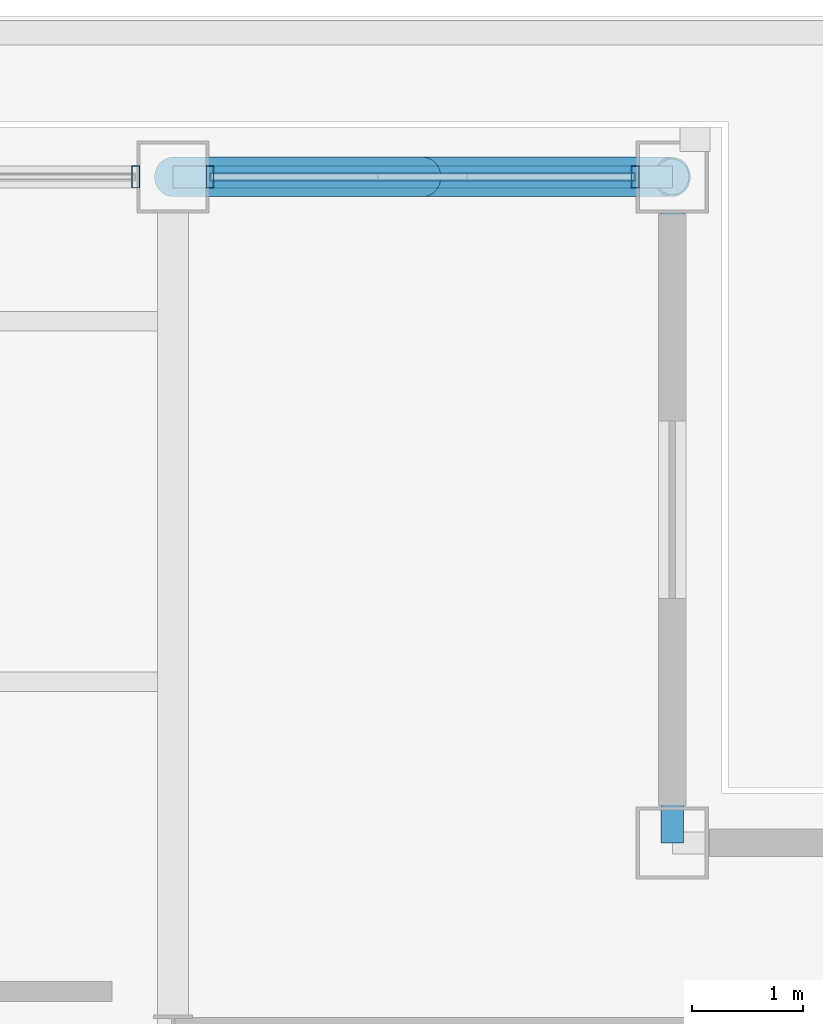
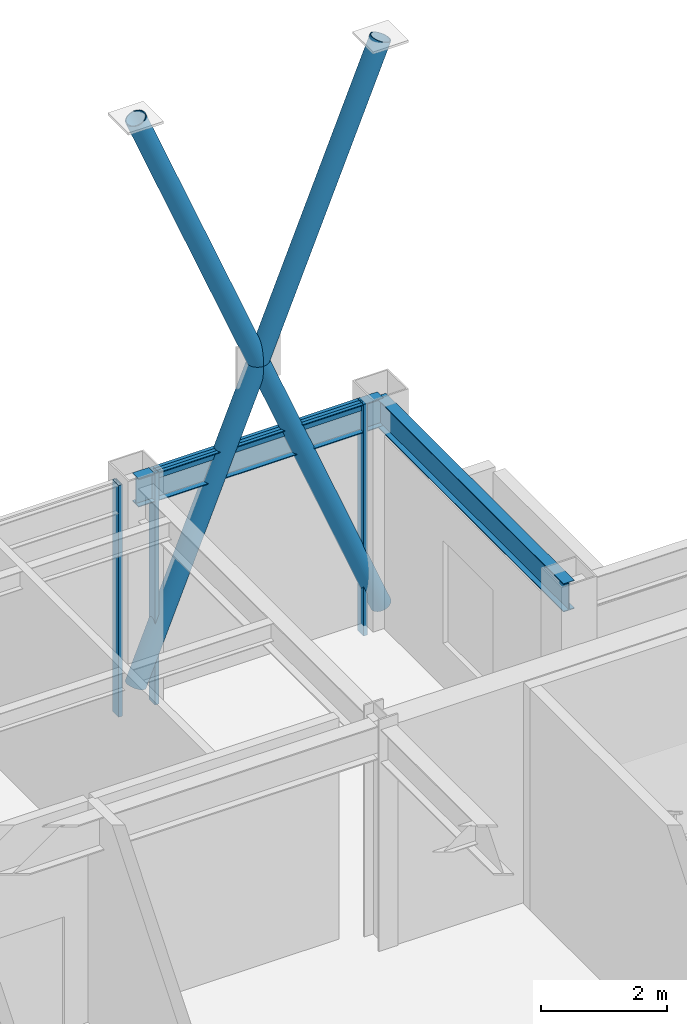
# One storey, part 13 of 19: 7 members, 2 beams, 2 elements without a shape of their own.
"""IFC4 building model written with IfcOpenShell, lengths in metres."""

from ifc_helpers import new_model, si_unit, direction, frame, origin, origin_2d, place, context, subcontext, project, spatial, hollow_rectangle, hollow_circle, i_section, extrude, material, layer, layer_set, material_profile, profile_set, type_object, element, aggregate, save


model = new_model("IFC4")

# Units and contexts
model_context = context("Model", 3, precision=1e-05, world=origin(), true_north=direction((0.0, 1.0)))
body_context = subcontext(model_context, "Body", "Model", "MODEL_VIEW")
ifc_project = project(units=[si_unit("LENGTHUNIT", "METRE"), si_unit("AREAUNIT", "SQUARE_METRE"), si_unit("VOLUMEUNIT", "CUBIC_METRE"), si_unit("PLANEANGLEUNIT", "RADIAN"), si_unit("MASSUNIT", "GRAM", prefix="KILO")], contexts=[model_context])

# Site, building, storey
site_placement = place(None, origin())
site = spatial("IfcSite", under=ifc_project, at=site_placement, CompositionType="ELEMENT")
building_placement = place(site_placement, origin())
building = spatial("IfcBuilding", under=site, at=building_placement, Name="Brelmoor Portico Tower", CompositionType="ELEMENT")
storey_placement = place(building_placement, frame((0.0, 0.0, 213.89990234375)))
storey = spatial("IfcBuildingStorey", under=building, at=storey_placement, Name="L56", CompositionType="ELEMENT", Elevation=213.89990234375)

# Beams
ifc_material_1 = material(Name="Steel Q355B", Category="steel")
ifc_material_profile_1 = material_profile(ifc_material_1, i_section(OverallWidth=0.199951171875, OverallDepth=0.550048828125, WebThickness=0.010009765625, FlangeThickness=0.01611328125, at=origin_2d()), Name="HN 550x200x10x16")
ifc_profile_set_1 = profile_set([ifc_material_profile_1], Name="Steel Q355B")
beam_type = type_object("IfcBeamType", Name="BM-SP-550", PredefinedType="SPANDREL", material=ifc_profile_set_1)
beam_1_placement = place(storey_placement, frame((8.050048828125, 17.550048828125, 4.025146484375), z_axis=(1.0, 0.0, 0.0), x_axis=(0.0, 1.0, 0.0)))
element("IfcBeam", 1, at=beam_1_placement, inside=storey, type_object=beam_type, Name="L56 Perimeter Spandrel Beam SP-10", PredefinedType="SPANDREL", context=body_context, shape_type="SweptSolid", body=[
    extrude(i_section(OverallWidth=0.199951171875, OverallDepth=0.550048828125, WebThickness=0.010009765625, FlangeThickness=0.01611328125, at=origin_2d()), origin(), (0.0, 0.0, 1.0), 4.5),
])
beam_2_placement = place(storey_placement, frame((12.550048828125, 11.550048828125, 4.025146484375), z_axis=(0.0, 1.0, 0.0), x_axis=(-1.0, 0.0, 0.0)))
element("IfcBeam", 2, at=beam_2_placement, inside=storey, type_object=beam_type, Name="L56 Perimeter Spandrel Beam SP-17", PredefinedType="SPANDREL", context=body_context, shape_type="SweptSolid", body=[
    extrude(i_section(OverallWidth=0.199951171875, OverallDepth=0.550048828125, WebThickness=0.010009765625, FlangeThickness=0.01611328125, at=origin_2d()), origin(), (0.0, 0.0, 1.0), 6.0),
])

# Members
ifc_material_profile_2 = material_profile(ifc_material_1, hollow_circle(Radius=0.177978515625, WallThickness=0.01611328125, at=origin_2d()), Name="CHS 356x16")
ifc_profile_set_2 = profile_set([ifc_material_profile_2], Name="Steel Q355B")
member_type_1 = type_object("IfcMemberType", Name="MB-BELT-DIAG2", PredefinedType="BRACE", material=ifc_profile_set_2)
member_1_placement = place(storey_placement, frame((8.050048828125, 17.550048828125, 0.25), z_axis=(0.378632845721, 0.0, 0.925546956206), x_axis=(0.0, 1.0, 0.0)))
element("IfcMember", 3, at=member_1_placement, inside=storey, type_object=member_type_1, Name="L56 Continuous Mega-X Brace 131A", PredefinedType="BRACE", context=body_context, shape_type="SweptSolid", body=[
    extrude(hollow_circle(Radius=0.177978515625, WallThickness=0.01611328125, at=origin_2d()), origin(), (0.0, 0.0, 1.0), 11.884765625),
])
for number, where, z_axis, x_axis, name in (
    (4, (12.550048828125, 17.550048828125, 0.25), (-0.378632845721, 0.0, 0.925546956206), (0.0, -1.0, 0.0), "L56 Split Mega-X Brace 131B1"),
    (5, (10.300048828125, 17.550048828125, 5.75), (-0.378632845721, 0.0, 0.925546956206), (0.0, -1.0, 0.0), "L56 Split Mega-X Brace 131B2"),
):
    element("IfcMember", number, at=place(storey_placement, frame(where, z_axis=z_axis, x_axis=x_axis)), inside=storey, type_object=member_type_1, Name=name, PredefinedType="BRACE", context=body_context, shape_type="SweptSolid", body=[
        extrude(hollow_circle(Radius=0.177978515625, WallThickness=0.01611328125, at=origin_2d()), origin(), (0.0, 0.0, 1.0), 5.9423828125),
    ])

# Curtain wall, member
ifc_material_2 = material(Name="Anodised Aluminium Alloy 6063-T6", Category="aluminium")
ifc_layer_1 = layer(ifc_material_2, 0.179931640625)
ifc_layer_set_1 = layer_set([ifc_layer_1], Name="Anodised Aluminium Alloy 6063-T6")
curtain_wall_type_1 = type_object("IfcCurtainWallType", Name="CW-SKYLOBBY", PredefinedType="NOTDEFINED", material=ifc_layer_set_1)
curtain_wall_1_placement = place(storey_placement, origin())
curtain_wall_1 = element("IfcCurtainWall", 6, at=curtain_wall_1_placement, inside=storey, type_object=curtain_wall_type_1, Name="L56 Curtain Wall CW-L56-02-2", PredefinedType="NOTDEFINED")
ifc_material_profile_3 = material_profile(ifc_material_2, hollow_rectangle(XDim=0.070068359375, YDim=0.199951171875, WallThickness=0.00439453125, at=origin_2d()), Name="ALU MULLION 70x200")
ifc_profile_set_3 = profile_set([ifc_material_profile_3], Name="Anodised Aluminium Alloy 6063-T6")
member_type_2 = type_object("IfcMemberType", Name="MB-CW-MULL-200", PredefinedType="MULLION", material=ifc_profile_set_3)
member_2_placement = place(storey_placement, frame((7.715087890625, 17.550048828125, -0.199951171875), z_axis=(0.0, 0.0, 1.0), x_axis=(1.0, 0.0, 0.0)))
member_2 = element("IfcMember", 7, at=member_2_placement, type_object=member_type_2, Name="CW-L56-02-2 Mullion 01", PredefinedType="MULLION", context=body_context, shape_type="SweptSolid", body=[
    extrude(hollow_rectangle(XDim=0.070068359375, YDim=0.199951171875, WallThickness=0.00439453125, at=origin_2d()), origin(), (0.0, 0.0, 1.0), 4.5),
])
aggregate(curtain_wall_1, [member_2])

# Curtain wall, members
ifc_layer_2 = layer(ifc_material_2, 0.179931640625)
ifc_layer_set_2 = layer_set([ifc_layer_2], Name="Anodised Aluminium Alloy 6063-T6")
curtain_wall_type_2 = type_object("IfcCurtainWallType", Name="CW-SKYLOBBY-XB", PredefinedType="NOTDEFINED", material=ifc_layer_set_2)
curtain_wall_2_placement = place(storey_placement, origin())
curtain_wall_2 = element("IfcCurtainWall", 8, at=curtain_wall_2_placement, inside=storey, type_object=curtain_wall_type_2, Name="L56 Curtain Wall CW-L56-02-3", PredefinedType="NOTDEFINED")
member_3_placement = place(storey_placement, frame((8.385009765625, 17.550048828125, -0.199951171875), z_axis=(0.0, 0.0, 1.0), x_axis=(1.0, 0.0, 0.0)))
member_3 = element("IfcMember", 9, at=member_3_placement, type_object=member_type_2, Name="CW-L56-02-3 Mullion 00", PredefinedType="MULLION", context=body_context, shape_type="SweptSolid", body=[
    extrude(hollow_rectangle(XDim=0.070068359375, YDim=0.199951171875, WallThickness=0.00439453125, at=origin_2d()), origin(), (0.0, 0.0, 1.0), 4.5),
])
member_4_placement = place(storey_placement, frame((12.215087890625, 17.550048828125, -0.199951171875), z_axis=(0.0, 0.0, 1.0), x_axis=(1.0, 0.0, 0.0)))
member_4 = element("IfcMember", 10, at=member_4_placement, type_object=member_type_2, Name="CW-L56-02-3 Mullion 01", PredefinedType="MULLION", context=body_context, shape_type="SweptSolid", body=[
    extrude(hollow_rectangle(XDim=0.070068359375, YDim=0.199951171875, WallThickness=0.00439453125, at=origin_2d()), origin(), (0.0, 0.0, 1.0), 4.5),
])
ifc_material_profile_4 = material_profile(ifc_material_2, hollow_rectangle(XDim=0.070068359375, YDim=0.159912109375, WallThickness=0.00390625, at=origin_2d()), Name="ALU TRANSOM 70x160")
ifc_profile_set_4 = profile_set([ifc_material_profile_4], Name="Anodised Aluminium Alloy 6063-T6")
member_type_3 = type_object("IfcMemberType", Name="MB-CW-TRAN-160", PredefinedType="USERDEFINED", material=ifc_profile_set_4)
member_5_placement = place(storey_placement, frame((8.385009765625, 17.550048828125, 4.22021484375), z_axis=(1.0, 0.0, 0.0), x_axis=(0.0, 1.0, 0.0)))
member_5 = element("IfcMember", 11, at=member_5_placement, type_object=member_type_3, Name="CW-L56-02-3 Transom 1-00", ObjectType="TRANSOM", PredefinedType="USERDEFINED", context=body_context, shape_type="SweptSolid", body=[
    extrude(hollow_rectangle(XDim=0.070068359375, YDim=0.159912109375, WallThickness=0.00390625, at=origin_2d()), origin(), (0.0, 0.0, 1.0), 3.830078125),
])
aggregate(curtain_wall_2, [member_3, member_4, member_5])

save(model, "model.ifc")
